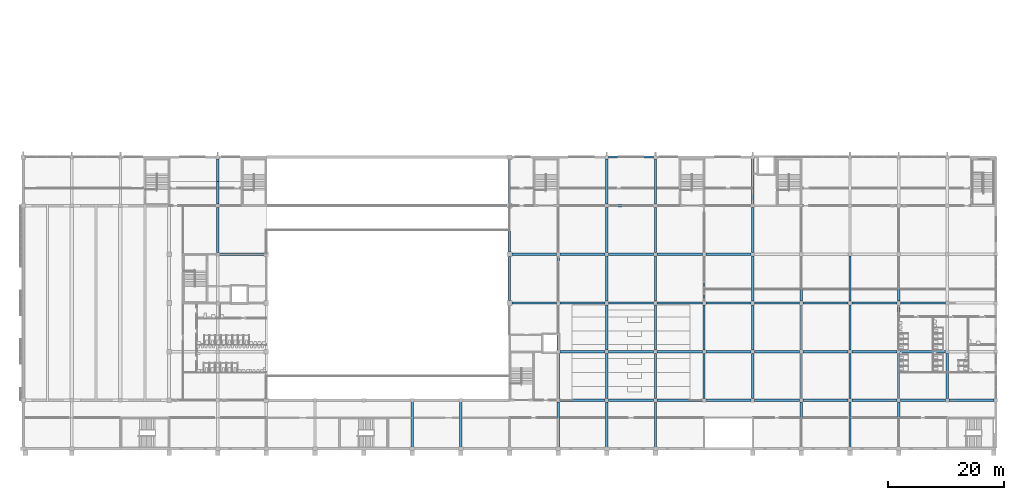
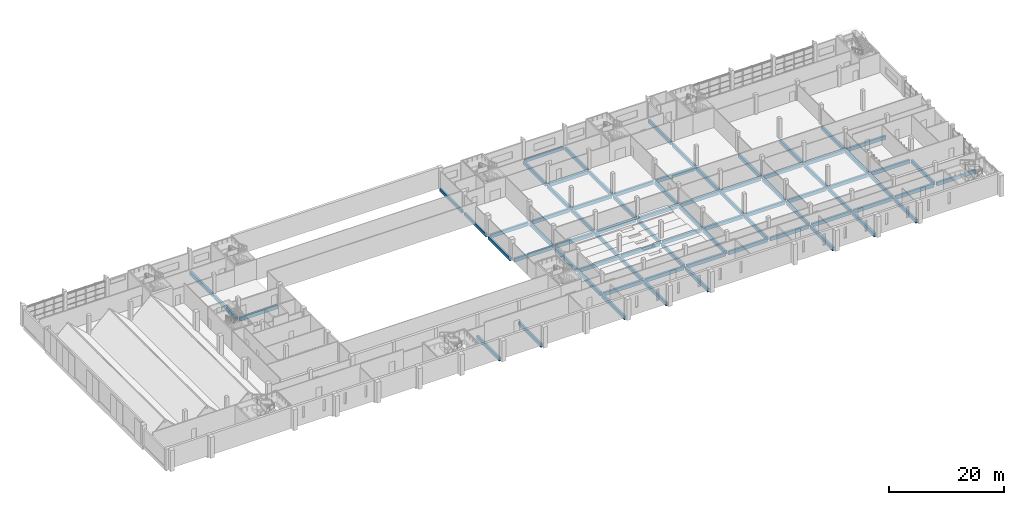
# One storey, part 3 of 56: 79 beams.
"""IFC4 building model written with IfcOpenShell, lengths in metres."""

from ifc_helpers import new_model, si_unit, direction, frame, origin, origin_2d, place, context, subcontext, project, spatial, rectangle, extrude, material, material_profile, profile_set, type_object, element, save


model = new_model("IFC4")

# Units and contexts
model_context = context("Model", 3, precision=1e-05, world=origin(), true_north=direction((0.0, 1.0)))
body_context = subcontext(model_context, "Body", "Model", "MODEL_VIEW")
ifc_project = project(units=[si_unit("LENGTHUNIT", "METRE"), si_unit("AREAUNIT", "SQUARE_METRE"), si_unit("VOLUMEUNIT", "CUBIC_METRE"), si_unit("PLANEANGLEUNIT", "RADIAN"), si_unit("MASSUNIT", "GRAM", prefix="KILO")], contexts=[model_context])

# Site, building, storey
site_placement = place(None, origin())
site = spatial("IfcSite", under=ifc_project, at=site_placement, CompositionType="ELEMENT")
building_placement = place(site_placement, origin())
building = spatial("IfcBuilding", under=site, at=building_placement, Name="Rulbaag Community and Learning Centre", CompositionType="ELEMENT")
storey_placement = place(building_placement, frame((0.0, 0.0, 9.89990234375)))
storey = spatial("IfcBuildingStorey", under=building, at=storey_placement, Name="L02", CompositionType="ELEMENT", Elevation=9.89990234375)

# Beams
ifc_material = material(Name="Concrete M40", Category="concrete")
ifc_material_profile_1 = material_profile(ifc_material, rectangle(XDim=0.39990234375, YDim=0.75, at=origin_2d()), Name="RB400x750")
ifc_profile_set_1 = profile_set([ifc_material_profile_1], Name="Concrete M40")
beam_type_1 = type_object("IfcBeamType", Name="B22 Classroom floor beam 400x750 Concrete M40", PredefinedType="BEAM", material=ifc_profile_set_1)
beam_1_placement = place(storey_placement, frame((33.905029296875, 33.60009765625, -0.625), z_axis=(1.0, 0.0, 0.0), x_axis=(0.0, 1.0, 0.0)))
element("IfcBeam", 1, at=beam_1_placement, inside=storey, type_object=beam_type_1, Name="BM-L02-5E-6E", PredefinedType="BEAM", context=body_context, shape_type="SweptSolid", body=[
    extrude(rectangle(XDim=0.39990234375, YDim=0.75, at=origin_2d()), origin(), (0.0, 0.0, 1.0), 7.68994140625),
])
beam_2_placement = place(storey_placement, frame((33.60009765625, 33.905029296875, -0.625), z_axis=(0.0, 1.0, 0.0), x_axis=(-1.0, 0.0, 0.0)))
element("IfcBeam", 2, at=beam_2_placement, inside=storey, type_object=beam_type_1, Name="BM-L02-5E-5F", PredefinedType="BEAM", context=body_context, shape_type="SweptSolid", body=[
    extrude(rectangle(XDim=0.39990234375, YDim=0.75, at=origin_2d()), origin(), (0.0, 0.0, 1.0), 7.7900390625),
])
for number, where, z_axis, x_axis, name in (
    (3, (67.199951171875, 0.22509765625, -0.625), (0.0, 1.0, 0.0), (-1.0, 0.0, 0.0), "BM-L02-9A-9B"),
    (4, (75.60009765625, 0.22509765625, -0.625), (0.0, 1.0, 0.0), (-1.0, 0.0, 0.0), "BM-L02-10A-10B"),
):
    element("IfcBeam", number, at=place(storey_placement, frame(where, z_axis=z_axis, x_axis=x_axis)), inside=storey, type_object=beam_type_1, Name=name, PredefinedType="BEAM", context=body_context, shape_type="SweptSolid", body=[
        extrude(rectangle(XDim=0.39990234375, YDim=0.75, at=origin_2d()), origin(), (0.0, 0.0, 1.0), 7.9248046875),
    ])
for number, where, z_axis, x_axis, name in (
    (5, (84.405029296875, 25.199951171875, -0.625), (1.0, 0.0, 0.0), (0.0, 1.0, 0.0), "BM-L02-11D-12D"),
    (6, (84.405029296875, 33.60009765625, -0.625), (1.0, 0.0, 0.0), (0.0, 1.0, 0.0), "BM-L02-11E-12E"),
):
    element("IfcBeam", number, at=place(storey_placement, frame(where, z_axis=z_axis, x_axis=x_axis)), inside=storey, type_object=beam_type_1, Name=name, PredefinedType="BEAM", context=body_context, shape_type="SweptSolid", body=[
        extrude(rectangle(XDim=0.39990234375, YDim=0.75, at=origin_2d()), origin(), (0.0, 0.0, 1.0), 7.68994140625),
    ])
beam_3_placement = place(storey_placement, frame((92.39990234375, 0.22509765625, -0.625), z_axis=(0.0, 1.0, 0.0), x_axis=(-1.0, 0.0, 0.0)))
element("IfcBeam", 7, at=beam_3_placement, inside=storey, type_object=beam_type_1, Name="BM-L02-12A-12B", PredefinedType="BEAM", context=body_context, shape_type="SweptSolid", body=[
    extrude(rectangle(XDim=0.39990234375, YDim=0.75, at=origin_2d()), origin(), (0.0, 0.0, 1.0), 7.869873046875),
])
for number, where, z_axis, x_axis, name in (
    (8, (92.705078125, 8.39990234375, -0.625), (1.0, 0.0, 0.0), (0.0, 1.0, 0.0), "BM-L02-12B-13B"),
    (9, (92.39990234375, 8.705078125, -0.625), (0.0, 1.0, 0.0), (-1.0, 0.0, 0.0), "BM-L02-12B-12C"),
    (10, (92.705078125, 16.800048828125, -0.625), (1.0, 0.0, 0.0), (0.0, 1.0, 0.0), "BM-L02-12C-13C"),
    (11, (92.39990234375, 17.10498046875, -0.625), (0.0, 1.0, 0.0), (-1.0, 0.0, 0.0), "BM-L02-12C-12D"),
    (12, (92.705078125, 25.199951171875, -0.625), (1.0, 0.0, 0.0), (0.0, 1.0, 0.0), "BM-L02-12D-13D"),
    (13, (92.39990234375, 25.5048828125, -0.625), (0.0, 1.0, 0.0), (-1.0, 0.0, 0.0), "BM-L02-12D-12E"),
    (14, (92.705078125, 33.60009765625, -0.625), (1.0, 0.0, 0.0), (0.0, 1.0, 0.0), "BM-L02-12E-13E"),
):
    element("IfcBeam", number, at=place(storey_placement, frame(where, z_axis=z_axis, x_axis=x_axis)), inside=storey, type_object=beam_type_1, Name=name, PredefinedType="BEAM", context=body_context, shape_type="SweptSolid", body=[
        extrude(rectangle(XDim=0.39990234375, YDim=0.75, at=origin_2d()), origin(), (0.0, 0.0, 1.0), 7.7900390625),
    ])
beam_4_placement = place(storey_placement, frame((100.800048828125, 0.22509765625, -0.625), z_axis=(0.0, 1.0, 0.0), x_axis=(-1.0, 0.0, 0.0)))
element("IfcBeam", 15, at=beam_4_placement, inside=storey, type_object=beam_type_1, Name="BM-L02-13A-13B", PredefinedType="BEAM", context=body_context, shape_type="SweptSolid", body=[
    extrude(rectangle(XDim=0.39990234375, YDim=0.75, at=origin_2d()), origin(), (0.0, 0.0, 1.0), 7.869873046875),
])
for number, where, z_axis, x_axis, name in (
    (16, (101.10498046875, 8.39990234375, -0.625), (1.0, 0.0, 0.0), (0.0, 1.0, 0.0), "BM-L02-13B-14B"),
    (17, (100.800048828125, 8.705078125, -0.625), (0.0, 1.0, 0.0), (-1.0, 0.0, 0.0), "BM-L02-13B-13C"),
    (18, (101.10498046875, 16.800048828125, -0.625), (1.0, 0.0, 0.0), (0.0, 1.0, 0.0), "BM-L02-13C-14C"),
    (19, (100.800048828125, 17.10498046875, -0.625), (0.0, 1.0, 0.0), (-1.0, 0.0, 0.0), "BM-L02-13C-13D"),
    (20, (101.10498046875, 25.199951171875, -0.625), (1.0, 0.0, 0.0), (0.0, 1.0, 0.0), "BM-L02-13D-14D"),
    (21, (100.800048828125, 25.5048828125, -0.625), (0.0, 1.0, 0.0), (-1.0, 0.0, 0.0), "BM-L02-13D-13E"),
    (22, (101.10498046875, 33.60009765625, -0.625), (1.0, 0.0, 0.0), (0.0, 1.0, 0.0), "BM-L02-13E-14E"),
    (23, (100.800048828125, 33.905029296875, -0.625), (0.0, 1.0, 0.0), (-1.0, 0.0, 0.0), "BM-L02-13E-13F"),
    (24, (101.10498046875, 42.0, -0.625), (1.0, 0.0, 0.0), (0.0, 1.0, 0.0), "BM-L02-13F-14F"),
    (25, (100.800048828125, 42.304931640625, -0.625), (0.0, 1.0, 0.0), (-1.0, 0.0, 0.0), "BM-L02-13F-13G"),
):
    element("IfcBeam", number, at=place(storey_placement, frame(where, z_axis=z_axis, x_axis=x_axis)), inside=storey, type_object=beam_type_1, Name=name, PredefinedType="BEAM", context=body_context, shape_type="SweptSolid", body=[
        extrude(rectangle(XDim=0.39990234375, YDim=0.75, at=origin_2d()), origin(), (0.0, 0.0, 1.0), 7.7900390625),
    ])
beam_5_placement = place(storey_placement, frame((109.199951171875, 0.22509765625, -0.625), z_axis=(0.0, 1.0, 0.0), x_axis=(-1.0, 0.0, 0.0)))
element("IfcBeam", 26, at=beam_5_placement, inside=storey, type_object=beam_type_1, Name="BM-L02-14A-14B", PredefinedType="BEAM", context=body_context, shape_type="SweptSolid", body=[
    extrude(rectangle(XDim=0.39990234375, YDim=0.75, at=origin_2d()), origin(), (0.0, 0.0, 1.0), 7.869873046875),
])
for number, where, z_axis, x_axis, name in (
    (27, (109.5048828125, 8.39990234375, -0.625), (1.0, 0.0, 0.0), (0.0, 1.0, 0.0), "BM-L02-14B-15B"),
    (28, (109.199951171875, 8.705078125, -0.625), (0.0, 1.0, 0.0), (-1.0, 0.0, 0.0), "BM-L02-14B-14C"),
    (29, (109.5048828125, 16.800048828125, -0.625), (1.0, 0.0, 0.0), (0.0, 1.0, 0.0), "BM-L02-14C-15C"),
    (30, (109.199951171875, 17.10498046875, -0.625), (0.0, 1.0, 0.0), (-1.0, 0.0, 0.0), "BM-L02-14C-14D"),
    (31, (109.5048828125, 25.199951171875, -0.625), (1.0, 0.0, 0.0), (0.0, 1.0, 0.0), "BM-L02-14D-15D"),
    (32, (109.199951171875, 25.5048828125, -0.625), (0.0, 1.0, 0.0), (-1.0, 0.0, 0.0), "BM-L02-14D-14E"),
    (33, (109.5048828125, 33.60009765625, -0.625), (1.0, 0.0, 0.0), (0.0, 1.0, 0.0), "BM-L02-14E-15E"),
    (34, (109.199951171875, 33.905029296875, -0.625), (0.0, 1.0, 0.0), (-1.0, 0.0, 0.0), "BM-L02-14E-14F"),
    (35, (109.199951171875, 42.304931640625, -0.625), (0.0, 1.0, 0.0), (-1.0, 0.0, 0.0), "BM-L02-14F-14G"),
    (36, (117.905029296875, 8.39990234375, -0.625), (1.0, 0.0, 0.0), (0.0, 1.0, 0.0), "BM-L02-15B-16B"),
    (37, (117.60009765625, 8.705078125, -0.625), (0.0, 1.0, 0.0), (-1.0, 0.0, 0.0), "BM-L02-15B-15C"),
    (38, (117.905029296875, 16.800048828125, -0.625), (1.0, 0.0, 0.0), (0.0, 1.0, 0.0), "BM-L02-15C-16C"),
    (39, (117.60009765625, 17.10498046875, -0.625), (0.0, 1.0, 0.0), (-1.0, 0.0, 0.0), "BM-L02-15C-15D"),
    (40, (117.905029296875, 25.199951171875, -0.625), (1.0, 0.0, 0.0), (0.0, 1.0, 0.0), "BM-L02-15D-16D"),
    (41, (117.60009765625, 25.5048828125, -0.625), (0.0, 1.0, 0.0), (-1.0, 0.0, 0.0), "BM-L02-15D-15E"),
    (42, (117.905029296875, 33.60009765625, -0.625), (1.0, 0.0, 0.0), (0.0, 1.0, 0.0), "BM-L02-15E-16E"),
    (43, (126.304931640625, 8.39990234375, -0.625), (1.0, 0.0, 0.0), (0.0, 1.0, 0.0), "BM-L02-16B-17B"),
    (44, (126.0, 8.705078125, -0.625), (0.0, 1.0, 0.0), (-1.0, 0.0, 0.0), "BM-L02-16B-16C"),
    (45, (126.304931640625, 16.800048828125, -0.625), (1.0, 0.0, 0.0), (0.0, 1.0, 0.0), "BM-L02-16C-17C"),
    (46, (126.0, 17.10498046875, -0.625), (0.0, 1.0, 0.0), (-1.0, 0.0, 0.0), "BM-L02-16C-16D"),
    (47, (126.304931640625, 25.199951171875, -0.625), (1.0, 0.0, 0.0), (0.0, 1.0, 0.0), "BM-L02-16D-17D"),
    (48, (126.0, 25.5048828125, -0.625), (0.0, 1.0, 0.0), (-1.0, 0.0, 0.0), "BM-L02-16D-16E"),
    (49, (126.0, 33.905029296875, -0.625), (0.0, 1.0, 0.0), (-1.0, 0.0, 0.0), "BM-L02-16E-16F"),
    (50, (126.0, 42.304931640625, -0.625), (0.0, 1.0, 0.0), (-1.0, 0.0, 0.0), "BM-L02-16F-16G"),
):
    element("IfcBeam", number, at=place(storey_placement, frame(where, z_axis=z_axis, x_axis=x_axis)), inside=storey, type_object=beam_type_1, Name=name, PredefinedType="BEAM", context=body_context, shape_type="SweptSolid", body=[
        extrude(rectangle(XDim=0.39990234375, YDim=0.75, at=origin_2d()), origin(), (0.0, 0.0, 1.0), 7.7900390625),
    ])
beam_6_placement = place(storey_placement, frame((134.39990234375, 0.22509765625, -0.625), z_axis=(0.0, 1.0, 0.0), x_axis=(-1.0, 0.0, 0.0)))
element("IfcBeam", 51, at=beam_6_placement, inside=storey, type_object=beam_type_1, Name="BM-L02-17A-17B", PredefinedType="BEAM", context=body_context, shape_type="SweptSolid", body=[
    extrude(rectangle(XDim=0.39990234375, YDim=0.75, at=origin_2d()), origin(), (0.0, 0.0, 1.0), 7.869873046875),
])
for number, where, z_axis, x_axis, name in (
    (52, (134.705078125, 8.39990234375, -0.625), (1.0, 0.0, 0.0), (0.0, 1.0, 0.0), "BM-L02-17B-18B"),
    (53, (134.39990234375, 8.705078125, -0.625), (0.0, 1.0, 0.0), (-1.0, 0.0, 0.0), "BM-L02-17B-17C"),
    (54, (134.705078125, 16.800048828125, -0.625), (1.0, 0.0, 0.0), (0.0, 1.0, 0.0), "BM-L02-17C-18C"),
    (55, (134.39990234375, 17.10498046875, -0.625), (0.0, 1.0, 0.0), (-1.0, 0.0, 0.0), "BM-L02-17C-17D"),
    (56, (134.705078125, 25.199951171875, -0.625), (1.0, 0.0, 0.0), (0.0, 1.0, 0.0), "BM-L02-17D-18D"),
    (57, (134.39990234375, 25.5048828125, -0.625), (0.0, 1.0, 0.0), (-1.0, 0.0, 0.0), "BM-L02-17D-17E"),
):
    element("IfcBeam", number, at=place(storey_placement, frame(where, z_axis=z_axis, x_axis=x_axis)), inside=storey, type_object=beam_type_1, Name=name, PredefinedType="BEAM", context=body_context, shape_type="SweptSolid", body=[
        extrude(rectangle(XDim=0.39990234375, YDim=0.75, at=origin_2d()), origin(), (0.0, 0.0, 1.0), 7.7900390625),
    ])
beam_7_placement = place(storey_placement, frame((142.800048828125, 0.22509765625, -0.625), z_axis=(0.0, 1.0, 0.0), x_axis=(-1.0, 0.0, 0.0)))
element("IfcBeam", 58, at=beam_7_placement, inside=storey, type_object=beam_type_1, Name="BM-L02-18A-18B", PredefinedType="BEAM", context=body_context, shape_type="SweptSolid", body=[
    extrude(rectangle(XDim=0.39990234375, YDim=0.75, at=origin_2d()), origin(), (0.0, 0.0, 1.0), 7.869873046875),
])
for number, where, z_axis, x_axis, name in (
    (59, (143.10498046875, 8.39990234375, -0.625), (1.0, 0.0, 0.0), (0.0, 1.0, 0.0), "BM-L02-18B-19B"),
    (60, (142.800048828125, 8.705078125, -0.625), (0.0, 1.0, 0.0), (-1.0, 0.0, 0.0), "BM-L02-18B-18C"),
    (61, (143.10498046875, 16.800048828125, -0.625), (1.0, 0.0, 0.0), (0.0, 1.0, 0.0), "BM-L02-18C-19C"),
    (62, (142.800048828125, 17.10498046875, -0.625), (0.0, 1.0, 0.0), (-1.0, 0.0, 0.0), "BM-L02-18C-18D"),
    (63, (143.10498046875, 25.199951171875, -0.625), (1.0, 0.0, 0.0), (0.0, 1.0, 0.0), "BM-L02-18D-19D"),
    (64, (142.800048828125, 25.5048828125, -0.625), (0.0, 1.0, 0.0), (-1.0, 0.0, 0.0), "BM-L02-18D-18E"),
):
    element("IfcBeam", number, at=place(storey_placement, frame(where, z_axis=z_axis, x_axis=x_axis)), inside=storey, type_object=beam_type_1, Name=name, PredefinedType="BEAM", context=body_context, shape_type="SweptSolid", body=[
        extrude(rectangle(XDim=0.39990234375, YDim=0.75, at=origin_2d()), origin(), (0.0, 0.0, 1.0), 7.7900390625),
    ])
beam_8_placement = place(storey_placement, frame((151.199951171875, 0.22509765625, -0.625), z_axis=(0.0, 1.0, 0.0), x_axis=(-1.0, 0.0, 0.0)))
element("IfcBeam", 65, at=beam_8_placement, inside=storey, type_object=beam_type_1, Name="BM-L02-19A-19B", PredefinedType="BEAM", context=body_context, shape_type="SweptSolid", body=[
    extrude(rectangle(XDim=0.39990234375, YDim=0.75, at=origin_2d()), origin(), (0.0, 0.0, 1.0), 7.869873046875),
])
for number, where, z_axis, x_axis, name in (
    (66, (151.5048828125, 8.39990234375, -0.625), (1.0, 0.0, 0.0), (0.0, 1.0, 0.0), "BM-L02-19B-20B"),
    (67, (151.199951171875, 8.705078125, -0.625), (0.0, 1.0, 0.0), (-1.0, 0.0, 0.0), "BM-L02-19B-19C"),
    (68, (151.5048828125, 16.800048828125, -0.625), (1.0, 0.0, 0.0), (0.0, 1.0, 0.0), "BM-L02-19C-20C"),
    (69, (151.199951171875, 17.10498046875, -0.625), (0.0, 1.0, 0.0), (-1.0, 0.0, 0.0), "BM-L02-19C-19D"),
    (70, (151.5048828125, 25.199951171875, -0.625), (1.0, 0.0, 0.0), (0.0, 1.0, 0.0), "BM-L02-19D-20D"),
    (71, (151.199951171875, 25.5048828125, -0.625), (0.0, 1.0, 0.0), (-1.0, 0.0, 0.0), "BM-L02-19D-19E"),
    (72, (159.905029296875, 8.39990234375, -0.625), (1.0, 0.0, 0.0), (0.0, 1.0, 0.0), "BM-L02-20B-21B"),
    (73, (159.60009765625, 8.705078125, -0.625), (0.0, 1.0, 0.0), (-1.0, 0.0, 0.0), "BM-L02-20B-20C"),
):
    element("IfcBeam", number, at=place(storey_placement, frame(where, z_axis=z_axis, x_axis=x_axis)), inside=storey, type_object=beam_type_1, Name=name, PredefinedType="BEAM", context=body_context, shape_type="SweptSolid", body=[
        extrude(rectangle(XDim=0.39990234375, YDim=0.75, at=origin_2d()), origin(), (0.0, 0.0, 1.0), 7.7900390625),
    ])
ifc_material_profile_2 = material_profile(ifc_material, rectangle(XDim=0.39990234375, YDim=0.75, at=origin_2d()), Name="RB400x750")
ifc_profile_set_2 = profile_set([ifc_material_profile_2], Name="Concrete M40")
beam_type_2 = type_object("IfcBeamType", Name="B26 Movement joint cantilever beam 400x750 Concrete M40", PredefinedType="BEAM", material=ifc_profile_set_2)
beam_9_placement = place(storey_placement, frame((33.60009765625, 42.304931640625, -0.625), z_axis=(0.0, 1.0, 0.0), x_axis=(-1.0, 0.0, 0.0)))
element("IfcBeam", 74, at=beam_9_placement, inside=storey, type_object=beam_type_2, Name="BM-L02-5F-5G-A", PredefinedType="BEAM", context=body_context, shape_type="SweptSolid", body=[
    extrude(rectangle(XDim=0.39990234375, YDim=0.75, at=origin_2d()), origin(), (0.0, 0.0, 1.0), 3.8701171875),
])
beam_10_placement = place(storey_placement, frame((33.60009765625, 46.22509765625, -0.625), z_axis=(0.0, 1.0, 0.0), x_axis=(-1.0, 0.0, 0.0)))
element("IfcBeam", 75, at=beam_10_placement, inside=storey, type_object=beam_type_2, Name="BM-L02-5F-5G-B", PredefinedType="BEAM", context=body_context, shape_type="SweptSolid", body=[
    extrude(rectangle(XDim=0.39990234375, YDim=0.75, at=origin_2d()), origin(), (0.0, 0.0, 1.0), 3.869873046875),
])
ifc_material_profile_3 = material_profile(ifc_material, rectangle(XDim=0.35009765625, YDim=0.64990234375, at=origin_2d()), Name="RB350x650")
ifc_profile_set_3 = profile_set([ifc_material_profile_3], Name="Concrete M40")
beam_type_3 = type_object("IfcBeamType", Name="B8 Hall wing edge beam 350x650 Concrete M40", PredefinedType="BEAM", material=ifc_profile_set_3)
for number, where, z_axis, x_axis, name in (
    (76, (84.0, 25.60498046875, -0.574951171875), (0.0, 1.0, 0.0), (-1.0, 0.0, 0.0), "BM-L02-11D-11E"),
    (77, (84.0, 34.0048828125, -0.574951171875), (0.0, 1.0, 0.0), (-1.0, 0.0, 0.0), "BM-L02-11E-11F"),
):
    element("IfcBeam", number, at=place(storey_placement, frame(where, z_axis=z_axis, x_axis=x_axis)), inside=storey, type_object=beam_type_3, Name=name, PredefinedType="BEAM", context=body_context, shape_type="SweptSolid", body=[
        extrude(rectangle(XDim=0.35009765625, YDim=0.64990234375, at=origin_2d()), origin(), (0.0, 0.0, 1.0), 7.590087890625),
    ])
beam_11_placement = place(storey_placement, frame((84.0, 42.405029296875, -0.574951171875), z_axis=(0.0, 1.0, 0.0), x_axis=(-1.0, 0.0, 0.0)))
element("IfcBeam", 78, at=beam_11_placement, inside=storey, type_object=beam_type_3, Name="BM-L02-11F-11G", PredefinedType="BEAM", context=body_context, shape_type="SweptSolid", body=[
    extrude(rectangle(XDim=0.35009765625, YDim=0.64990234375, at=origin_2d()), origin(), (0.0, 0.0, 1.0), 7.744873046875),
])
beam_12_placement = place(storey_placement, frame((101.10498046875, 50.39990234375, -0.574951171875), z_axis=(1.0, 0.0, 0.0), x_axis=(0.0, 1.0, 0.0)))
element("IfcBeam", 79, at=beam_12_placement, inside=storey, type_object=beam_type_3, Name="BM-L02-13G-14G", PredefinedType="BEAM", context=body_context, shape_type="SweptSolid", body=[
    extrude(rectangle(XDim=0.35009765625, YDim=0.64990234375, at=origin_2d()), origin(), (0.0, 0.0, 1.0), 7.7900390625),
])

save(model, "model.ifc")
